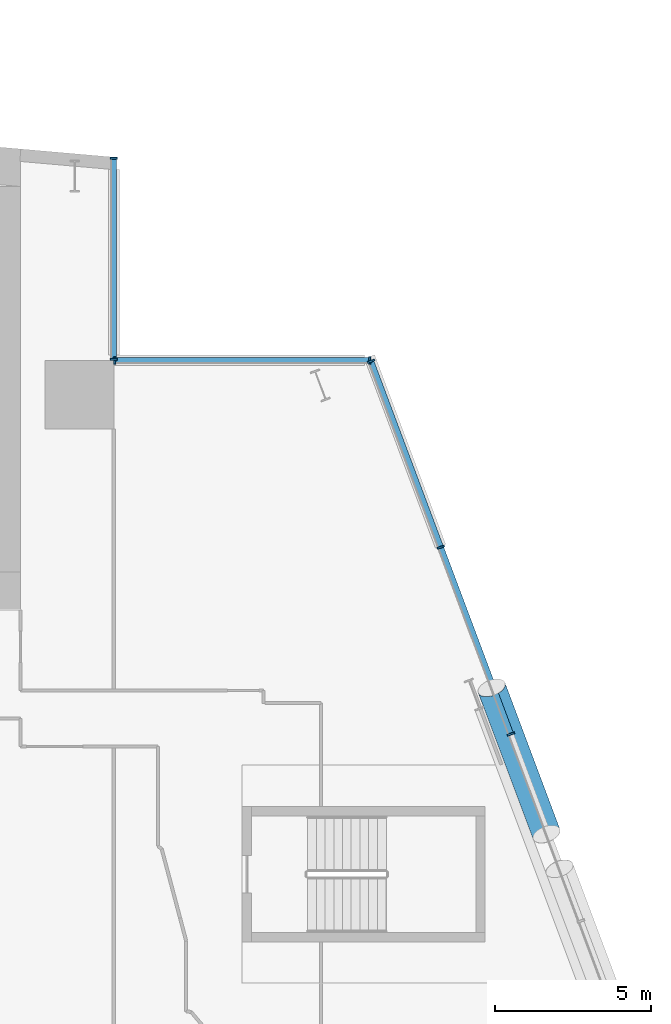
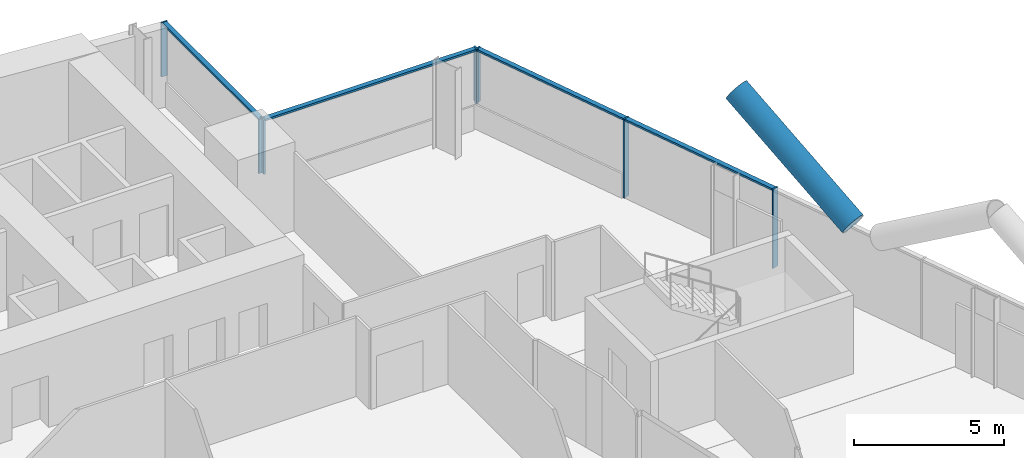
# One storey, part 10 of 27: 12 members, 3 elements without a shape of their own.
"""IFC4 building model written with IfcOpenShell, lengths in metres."""

from ifc_helpers import new_model, si_unit, direction, frame, origin, origin_2d, place, context, subcontext, project, spatial, rectangle, hollow_circle, extrude, material, material_profile, profile_set, type_object, element, aggregate, save


model = new_model("IFC4")

# Units and contexts
model_context = context("Model", 3, precision=1e-05, world=origin(), true_north=direction((0.0, 1.0)))
body_context = subcontext(model_context, "Body", "Model", "MODEL_VIEW")
ifc_project = project(units=[si_unit("LENGTHUNIT", "METRE"), si_unit("AREAUNIT", "SQUARE_METRE"), si_unit("VOLUMEUNIT", "CUBIC_METRE"), si_unit("PLANEANGLEUNIT", "RADIAN"), si_unit("MASSUNIT", "GRAM", prefix="KILO")], contexts=[model_context])

# Site, building, storey
site_placement = place(None, origin())
site = spatial("IfcSite", under=ifc_project, at=site_placement, CompositionType="ELEMENT")
building_placement = place(site_placement, origin())
building = spatial("IfcBuilding", under=site, at=building_placement, Name="Wharfspan Tower", CompositionType="ELEMENT")
storey_placement = place(building_placement, frame((0.0, 0.0, 77.5)))
storey = spatial("IfcBuildingStorey", under=building, at=storey_placement, Name="L16", CompositionType="ELEMENT", Elevation=77.5)

# Curtain wall, members
ifc_material_1 = material(Name="Aluminium 6063-T6", Category="aluminium")
curtain_wall_type = type_object("IfcCurtainWallType", Name="CURTAIN WALL PROW AND END", PredefinedType="NOTDEFINED", material=ifc_material_1)
curtain_wall_1_placement = place(storey_placement, origin())
curtain_wall_1 = element("IfcCurtainWall", 1, at=curtain_wall_1_placement, inside=storey, type_object=curtain_wall_type, Name="Curtain wall E", PredefinedType="NOTDEFINED")
ifc_material_profile_1 = material_profile(ifc_material_1, rectangle(XDim=0.23999, YDim=0.060059, at=origin_2d()))
ifc_profile_set_1 = profile_set([ifc_material_profile_1], Name="Aluminium 6063-T6")
member_type_1 = type_object("IfcMemberType", Name="MULLION PROW AND END 60x240", PredefinedType="MULLION", material=ifc_profile_set_1)
member_1_placement = place(storey_placement, frame((80.75, 30.0, 0.0), z_axis=(0.0, 0.0, 1.0), x_axis=(-0.936328, -0.351123, 0.0)))
member_1 = element("IfcMember", 2, at=member_1_placement, type_object=member_type_1, Name="Curtain wall E mullion 6", PredefinedType="MULLION", context=body_context, shape_type="SweptSolid", body=[
    extrude(rectangle(XDim=0.23999, YDim=0.060059, at=origin_2d()), origin(), (0.0, 0.0, 1.0), 3.199951),
])
member_2_placement = place(storey_placement, frame((78.5, 36.0, 0.0), z_axis=(0.0, 0.0, 1.0), x_axis=(-0.936328, -0.351123, 0.0)))
member_2 = element("IfcMember", 3, at=member_2_placement, type_object=member_type_1, Name="Curtain wall E mullion 7", PredefinedType="MULLION", context=body_context, shape_type="SweptSolid", body=[
    extrude(rectangle(XDim=0.23999, YDim=0.060059, at=origin_2d()), origin(), (0.0, 0.0, 1.0), 3.199951),
])
member_3_placement = place(storey_placement, frame((76.260498, 41.971924, 1.0), z_axis=(0.0, 0.0, 1.0), x_axis=(-0.936328, -0.351123, 0.0)))
member_3 = element("IfcMember", 4, at=member_3_placement, type_object=member_type_1, Name="Curtain wall E mullion 8", PredefinedType="MULLION", context=body_context, shape_type="SweptSolid", body=[
    extrude(rectangle(XDim=0.23999, YDim=0.060059, at=origin_2d()), origin(), (0.0, 0.0, 1.0), 2.199951),
])

curtain_wall_2_placement = place(storey_placement, origin())
curtain_wall_2 = element("IfcCurtainWall", 5, at=curtain_wall_2_placement, inside=storey, type_object=curtain_wall_type, Name="Curtain wall NRE-H", PredefinedType="NOTDEFINED")
member_4_placement = place(storey_placement, frame((76.219971, 42.0, 1.0), z_axis=(0.0, 0.0, 1.0), x_axis=(0.0, -1.0, 0.0)))
member_4 = element("IfcMember", 6, at=member_4_placement, type_object=member_type_1, Name="Curtain wall NRE-H mullion 1", PredefinedType="MULLION", context=body_context, shape_type="SweptSolid", body=[
    extrude(rectangle(XDim=0.23999, YDim=0.060059, at=origin_2d()), origin(), (0.0, 0.0, 1.0), 2.199951),
])
member_5_placement = place(storey_placement, frame((68.030029, 42.0, 1.0), z_axis=(0.0, 0.0, 1.0), x_axis=(0.0, -1.0, 0.0)))
member_5 = element("IfcMember", 7, at=member_5_placement, type_object=member_type_1, Name="Curtain wall NRE-H mullion 2", PredefinedType="MULLION", context=body_context, shape_type="SweptSolid", body=[
    extrude(rectangle(XDim=0.23999, YDim=0.060059, at=origin_2d()), origin(), (0.0, 0.0, 1.0), 2.199951),
])

curtain_wall_3_placement = place(storey_placement, origin())
curtain_wall_3 = element("IfcCurtainWall", 8, at=curtain_wall_3_placement, inside=storey, type_object=curtain_wall_type, Name="Curtain wall NRE-V", PredefinedType="NOTDEFINED")
member_6_placement = place(storey_placement, frame((68.0, 42.030029, 1.0), z_axis=(0.0, 0.0, 1.0), x_axis=(-1.0, 0.0, 0.0)))
member_6 = element("IfcMember", 9, at=member_6_placement, type_object=member_type_1, Name="Curtain wall NRE-V mullion 1", PredefinedType="MULLION", context=body_context, shape_type="SweptSolid", body=[
    extrude(rectangle(XDim=0.23999, YDim=0.060059, at=origin_2d()), origin(), (0.0, 0.0, 1.0), 2.199951),
])
member_7_placement = place(storey_placement, frame((68.0, 48.494873, 1.0), z_axis=(0.0, 0.0, 1.0), x_axis=(-1.0, 0.0, 0.0)))
member_7 = element("IfcMember", 10, at=member_7_placement, type_object=member_type_1, Name="Curtain wall NRE-V mullion 2", PredefinedType="MULLION", context=body_context, shape_type="SweptSolid", body=[
    extrude(rectangle(XDim=0.23999, YDim=0.060059, at=origin_2d()), origin(), (0.0, 0.0, 1.0), 2.199951),
])

# Member
ifc_material_2 = material(Name="Steel S460NH", Category="steel")
ifc_material_profile_2 = material_profile(ifc_material_2, hollow_circle(Radius=0.457031, WallThickness=0.040039, at=origin_2d()))
ifc_profile_set_2 = profile_set([ifc_material_profile_2], Name="Steel S460NH")
member_type_2 = type_object("IfcMemberType", Name="Mega brace CHS 914x40", PredefinedType="BRACE", material=ifc_profile_set_2)
member_8_placement = place(storey_placement, frame((81.895508, 26.788574, 3.282471), z_axis=(-0.295459, 0.787904, 0.540288), x_axis=(-0.936328, -0.351115, -3e-06)))
element("IfcMember", 11, at=member_8_placement, inside=storey, type_object=member_type_2, Name="Mega brace E6 L16 part 2", PredefinedType="BRACE", context=body_context, shape_type="SweptSolid", body=[
    extrude(hollow_circle(Radius=0.457031, WallThickness=0.040039, at=origin_2d()), origin(), (0.0, 0.0, 1.0), 5.955322),
])

ifc_material_profile_3 = material_profile(ifc_material_1, rectangle(XDim=0.179932, YDim=0.080078, at=origin_2d()))
ifc_profile_set_3 = profile_set([ifc_material_profile_3], Name="Aluminium 6063-T6")
member_type_3 = type_object("IfcMemberType", Name="TRANSOM PROW AND END 80x180", PredefinedType="USERDEFINED", material=ifc_profile_set_3)
member_9_placement = place(storey_placement, frame((80.739502, 30.028076, 3.159912), z_axis=(-0.351132, 0.936326, 0.0), x_axis=(-0.936326, -0.351132, 0.0)))
member_9 = element("IfcMember", 12, at=member_9_placement, type_object=member_type_3, Name="Curtain wall E transom 6", ObjectType="TRANSOM", PredefinedType="USERDEFINED", context=body_context, shape_type="SweptSolid", body=[
    extrude(rectangle(XDim=0.179932, YDim=0.080078, at=origin_2d()), origin(), (0.0, 0.0, 1.0), 6.348145),
])

member_10_placement = place(storey_placement, frame((78.489502, 36.028076, 3.159912), z_axis=(-0.351136, 0.936324, 0.0), x_axis=(-0.936324, -0.351136, 0.0)))
member_10 = element("IfcMember", 13, at=member_10_placement, type_object=member_type_3, Name="Curtain wall E transom 7", ObjectType="TRANSOM", PredefinedType="USERDEFINED", context=body_context, shape_type="SweptSolid", body=[
    extrude(rectangle(XDim=0.179932, YDim=0.080078, at=origin_2d()), origin(), (0.0, 0.0, 1.0), 6.318115),
])

aggregate(curtain_wall_1, [member_1, member_2, member_3, member_9, member_10])

member_11_placement = place(storey_placement, frame((76.189941, 42.0, 3.159912), z_axis=(-1.0, 0.0, 0.0), x_axis=(0.0, -1.0, 0.0)))
member_11 = element("IfcMember", 14, at=member_11_placement, type_object=member_type_3, Name="Curtain wall NRE-H transom 1", ObjectType="TRANSOM", PredefinedType="USERDEFINED", context=body_context, shape_type="SweptSolid", body=[
    extrude(rectangle(XDim=0.179932, YDim=0.080078, at=origin_2d()), origin(), (0.0, 0.0, 1.0), 8.129883),
])

aggregate(curtain_wall_2, [member_4, member_5, member_11])

member_12_placement = place(storey_placement, frame((68.0, 42.060059, 3.159912), z_axis=(0.0, 1.0, 0.0), x_axis=(-1.0, 0.0, 0.0)))
member_12 = element("IfcMember", 15, at=member_12_placement, type_object=member_type_3, Name="Curtain wall NRE-V transom 1", ObjectType="TRANSOM", PredefinedType="USERDEFINED", context=body_context, shape_type="SweptSolid", body=[
    extrude(rectangle(XDim=0.179932, YDim=0.080078, at=origin_2d()), origin(), (0.0, 0.0, 1.0), 6.404785),
])

aggregate(curtain_wall_3, [member_6, member_7, member_12])

save(model, "model.ifc")
